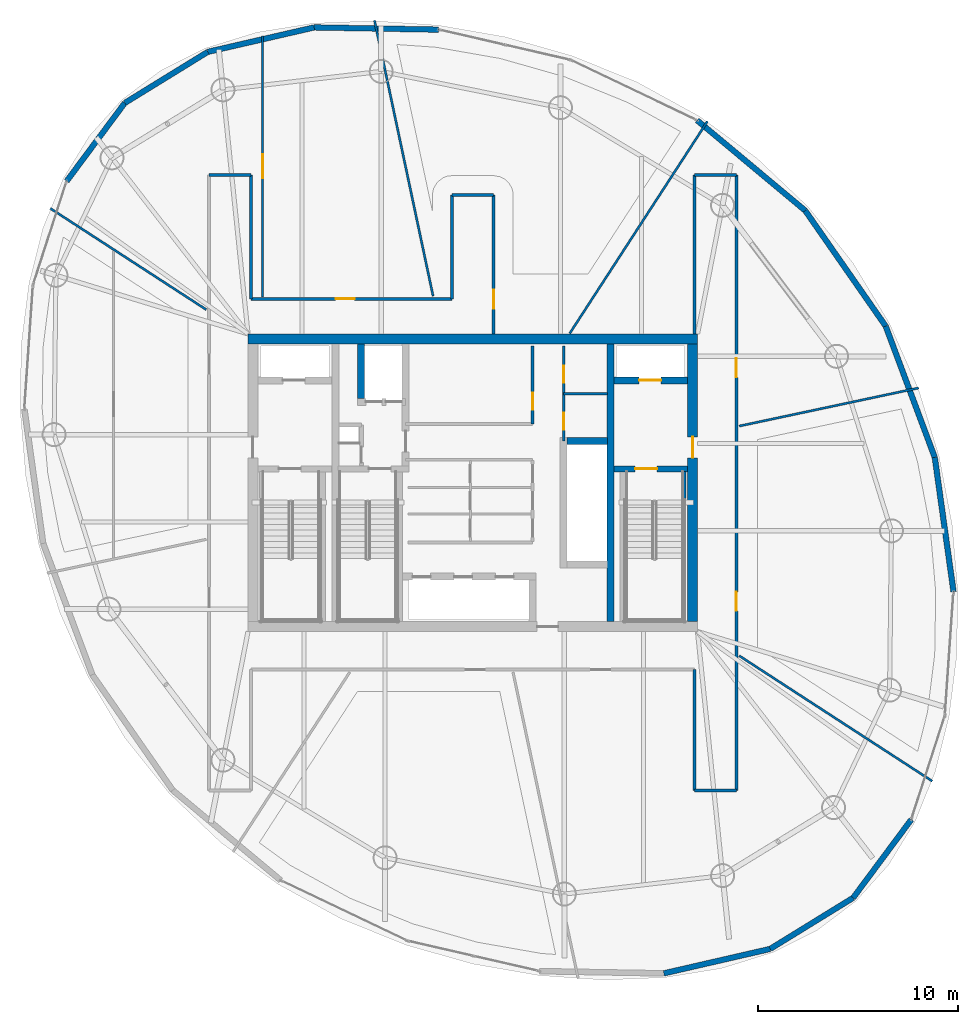
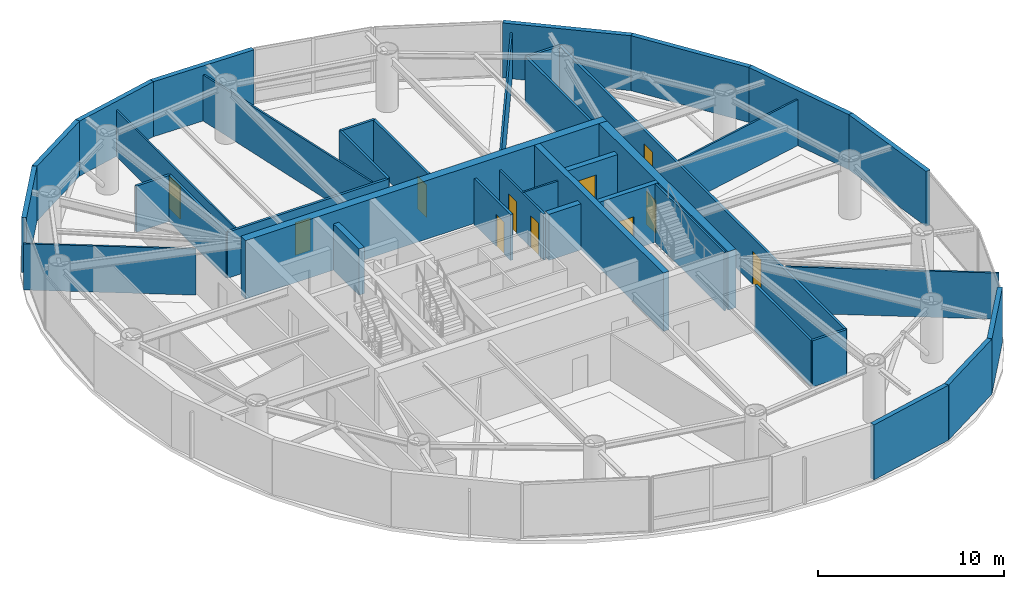
# One storey, part 17 of 22: 39 walls, 11 doors, 11 openings.
"""IFC4 building model written with IfcOpenShell, lengths in metres."""

from ifc_helpers import new_model, si_unit, direction, frame, frame_2d, origin, place, context, subcontext, project, spatial, rectangle, extrude, material, layer, layer_set, type_object, element, fill, save


model = new_model("IFC4")

# Units and contexts
model_context = context("Model", 3, precision=1e-05, world=origin(), true_north=direction((0.0, 1.0)))
body_context = subcontext(model_context, "Body", "Model", "MODEL_VIEW")
ifc_project = project(units=[si_unit("LENGTHUNIT", "METRE"), si_unit("AREAUNIT", "SQUARE_METRE"), si_unit("VOLUMEUNIT", "CUBIC_METRE"), si_unit("PLANEANGLEUNIT", "RADIAN"), si_unit("MASSUNIT", "GRAM", prefix="KILO")], contexts=[model_context])

# Site, building, storey
site_placement = place(None, origin())
site = spatial("IfcSite", under=ifc_project, at=site_placement, CompositionType="ELEMENT")
building_placement = place(site_placement, origin())
building = spatial("IfcBuilding", under=site, at=building_placement, Name="Bramvorn Convention Spire", CompositionType="ELEMENT")
storey_placement = place(building_placement, frame((0.0, 0.0, 221.25)))
storey = spatial("IfcBuildingStorey", under=building, at=storey_placement, Name="L56", CompositionType="ELEMENT", Elevation=221.25)

# Wall
ifc_material_1 = material(Name="Concrete C50/60", Category="concrete")
ifc_layer_1 = layer(ifc_material_1, 0.5)
ifc_layer_set_1 = layer_set([ifc_layer_1], Name="Concrete C50/60 - WL-CORE-500")
wall_type_1 = type_object("IfcWallType", Name="WL-CORE-500", PredefinedType="SHEAR", material=ifc_layer_set_1)
wall_1_placement = place(storey_placement, frame((26.75, 33.199951171875, 0.0), z_axis=(0.0, 0.0, 1.0), x_axis=(1.0, 0.0, 0.0)))
element("IfcWall", 1, at=wall_1_placement, inside=storey, type_object=wall_type_1, Name="L56 North RC core shear wall", PredefinedType="SHEAR", context=body_context, shape_type="SweptSolid", body=[
    extrude(rectangle(XDim=22.5, YDim=0.5, at=frame_2d((11.25, 0.0))), origin(), (0.0, 0.0, 1.0), 3.85009765625),
])

# Wall, opening, door
wall_2_placement = place(storey_placement, frame((49.0, 19.050048828125, 0.0), z_axis=(0.0, 0.0, 1.0), x_axis=(0.0, 1.0, 0.0)))
wall_2 = element("IfcWall", 2, at=wall_2_placement, inside=storey, type_object=wall_type_1, Name="L56 East RC core shear wall", PredefinedType="SHEAR", context=body_context, shape_type="SweptSolid", body=[
    extrude(rectangle(XDim=13.89990234375, YDim=0.5, at=frame_2d((6.949951171875, 0.0))), origin(), (0.0, 0.0, 1.0), 3.85009765625),
])
opening_1_placement = place(wall_2_placement, frame((8.199951171875, 0.0, 0.0)))
opening_1 = element("IfcOpeningElement", 3, at=opening_1_placement, cuts=wall_2, Name="Opening DL-105", PredefinedType="OPENING", context=body_context, shape_type="SweptSolid", body=[
    extrude(rectangle(XDim=1.050048828125, YDim=2.14990234375, at=frame_2d((0.52490234375, 1.074951171875))), frame((0.0, 0.260009765625, 0.0), z_axis=(0.0, -1.0, 0.0), x_axis=(1.0, 0.0, 0.0)), (0.0, 0.0, 1.0), 0.52001953125),
])
ifc_material_2 = material(Name="Smoke-Sealed Fire Lobby Timber-Core Door", Category="wood")
door_type_1 = type_object("IfcDoorType", Name="DR-LOBBY-1050", OperationType="NOTDEFINED", PredefinedType="DOOR", material=ifc_material_2)
door_1_placement = place(opening_1_placement, origin())
door_1 = element("IfcDoor", 4, at=door_1_placement, inside=storey, type_object=door_type_1, Name="L56 East Firefighting Lobby corridor door", OperationType="SINGLE_SWING_LEFT", OverallHeight=2.14990234375, OverallWidth=1.050048828125, PredefinedType="DOOR", context=body_context, shape_type="SweptSolid", body=[
    extrude(rectangle(XDim=1.050048828125, YDim=2.14990234375, at=frame_2d((0.52490234375, 1.074951171875))), frame((0.0, 0.02490234375, 0.0), z_axis=(0.0, -1.0, 0.0), x_axis=(1.0, 0.0, 0.0)), (0.0, 0.0, 1.0), 0.050048828125),
])
fill(opening_1, door_1)

# Wall
ifc_layer_2 = layer(ifc_material_1, 0.35009765625)
ifc_layer_set_2 = layer_set([ifc_layer_2], Name="Concrete C50/60 - WL-CORE-INT-350")
wall_type_2 = type_object("IfcWallType", Name="WL-CORE-INT-350", PredefinedType="SHEAR", material=ifc_layer_set_2)
wall_3_placement = place(storey_placement, frame((44.89990234375, 19.050048828125, 0.0), z_axis=(0.0, 0.0, 1.0), x_axis=(0.0, 1.0, 0.0)))
element("IfcWall", 5, at=wall_3_placement, inside=storey, type_object=wall_type_2, Name="L56 East internal core shear web", PredefinedType="SHEAR", context=body_context, shape_type="SweptSolid", body=[
    extrude(rectangle(XDim=13.89990234375, YDim=0.35009765625, at=frame_2d((6.949951171875, 0.0))), origin(), (0.0, 0.0, 1.0), 3.85009765625),
])

# Wall, opening, door
wall_4_placement = place(storey_placement, frame((45.080078125, 31.1201171875, 0.0), z_axis=(0.0, 0.0, 1.0), x_axis=(1.0, 0.0, 0.0)))
wall_4 = element("IfcWall", 6, at=wall_4_placement, inside=storey, type_object=wall_type_2, Name="L56 FE2 shaft front wall", PredefinedType="SHEAR", context=body_context, shape_type="SweptSolid", body=[
    extrude(rectangle(XDim=3.669921875, YDim=0.35009765625, at=frame_2d((1.8349609375, 0.0))), origin(), (0.0, 0.0, 1.0), 3.034912109375),
])
opening_2_placement = place(wall_4_placement, frame((1.25, 0.0, 0.0)))
opening_2 = element("IfcOpeningElement", 7, at=opening_2_placement, cuts=wall_4, Name="Opening LD-110", PredefinedType="OPENING", context=body_context, shape_type="SweptSolid", body=[
    extrude(rectangle(XDim=1.10009765625, YDim=2.14990234375, at=frame_2d((0.550048828125, 1.074951171875))), frame((0.0, 0.18505859375, 0.0), z_axis=(0.0, -1.0, 0.0), x_axis=(1.0, 0.0, 0.0)), (0.0, 0.0, 1.0), 0.3701171875),
])
ifc_material_3 = material(Name="Firefighting & Service Lift Sliding Landing Door", Category="steel")
door_type_2 = type_object("IfcDoorType", Name="DR-LIFT-LD-1100", OperationType="NOTDEFINED", PredefinedType="DOOR", material=ifc_material_3)
door_2_placement = place(opening_2_placement, origin())
door_2 = element("IfcDoor", 8, at=door_2_placement, inside=storey, type_object=door_type_2, Name="L56 Lift FE2 Sliding Landing Door", OperationType="SLIDING_TO_LEFT", OverallHeight=2.14990234375, OverallWidth=1.10009765625, PredefinedType="DOOR", context=body_context, shape_type="SweptSolid", body=[
    extrude(rectangle(XDim=1.10009765625, YDim=2.14990234375, at=frame_2d((0.550048828125, 1.074951171875))), frame((0.0, 0.02490234375, 0.0), z_axis=(0.0, -1.0, 0.0), x_axis=(1.0, 0.0, 0.0)), (0.0, 0.0, 1.0), 0.050048828125),
])
fill(opening_2, door_2)

# Walls
wall_5_placement = place(storey_placement, frame((32.39990234375, 30.219970703125, 0.0), z_axis=(0.0, 0.0, 1.0), x_axis=(0.0, 1.0, 0.0)))
element("IfcWall", 9, at=wall_5_placement, inside=storey, type_object=wall_type_2, Name="L56 SV1 west hoistway wall", PredefinedType="SHEAR", context=body_context, shape_type="SweptSolid", body=[
    extrude(rectangle(XDim=2.72998046875, YDim=0.35009765625, at=frame_2d((1.364990234375, 0.0))), origin(), (0.0, 0.0, 1.0), 3.034912109375),
])
wall_6_placement = place(storey_placement, frame((42.719970703125, 28.10009765625, 0.0), z_axis=(0.0, 0.0, 1.0), x_axis=(1.0, 0.0, 0.0)))
element("IfcWall", 10, at=wall_6_placement, inside=storey, type_object=wall_type_2, Name="L56 High-rise lift bank north wall", PredefinedType="SHEAR", context=body_context, shape_type="SweptSolid", body=[
    extrude(rectangle(XDim=2.030029296875, YDim=0.35009765625, at=frame_2d((1.01513671875, 0.0))), origin(), (0.0, 0.0, 1.0), 3.034912109375),
])
ifc_material_4 = material(Name="Precast Concrete C40/50 with Bronze Terracotta Rainscreen", Category="masonry")
ifc_layer_3 = layer(ifc_material_4, 0.300048828125)
ifc_layer_set_3 = layer_set([ifc_layer_3], Name="Precast Concrete C40/50 with Bronze Terracotta Rainscreen - WL-EXT-BRONZE-300")
wall_type_3 = type_object("IfcWallType", Name="WL-EXT-BRONZE-300", PredefinedType="SOLIDWALL", material=ifc_layer_set_3)
wall_7_placement = place(storey_placement, frame((59.94775390625, 9.13671875, 0.0), z_axis=(0.0, 0.0, 1.0), x_axis=(-0.59667052694, -0.802486312831, 0.0)))
element("IfcWall", 11, at=wall_7_placement, inside=storey, type_object=wall_type_3, Name="L56 expressed bronze Gothic lancet pier wall 01", PredefinedType="SOLIDWALL", context=body_context, shape_type="SweptSolid", body=[
    extrude(rectangle(XDim=4.87646484375, YDim=0.280029296875, at=frame_2d((2.438232421875, 0.0))), origin(), (0.0, 0.0, 1.0), 3.6201171875),
])
wall_8_placement = place(storey_placement, frame((61.12548828125, 27.26611328125, 0.0), z_axis=(0.0, 0.0, 1.0), x_axis=(0.138287146669, -0.990392177406, 0.0)))
element("IfcWall", 12, at=wall_8_placement, inside=storey, type_object=wall_type_3, Name="L56 expressed bronze Gothic lancet pier wall 04", PredefinedType="SOLIDWALL", context=body_context, shape_type="SweptSolid", body=[
    extrude(rectangle(XDim=6.78466796875, YDim=0.280029296875, at=frame_2d((3.392333984375, 0.0))), origin(), (0.0, 0.0, 1.0), 3.6201171875),
])
wall_9_placement = place(storey_placement, frame((58.666748046875, 33.8388671875, 0.0), z_axis=(0.0, 0.0, 1.0), x_axis=(0.350368435695, -0.93661195768, 0.0)))
element("IfcWall", 13, at=wall_9_placement, inside=storey, type_object=wall_type_3, Name="L56 expressed bronze Gothic lancet pier wall 05", PredefinedType="SOLIDWALL", context=body_context, shape_type="SweptSolid", body=[
    extrude(rectangle(XDim=7.017578125, YDim=0.280029296875, at=frame_2d((3.5087890625, 0.0))), origin(), (0.0, 0.0, 1.0), 3.6201171875),
])
wall_10_placement = place(storey_placement, frame((54.640380859375, 39.62060546875, 0.0), z_axis=(0.0, 0.0, 1.0), x_axis=(0.571474586203, -0.820619764156, 0.0)))
element("IfcWall", 14, at=wall_10_placement, inside=storey, type_object=wall_type_3, Name="L56 expressed bronze Gothic lancet pier wall 06", PredefinedType="SOLIDWALL", context=body_context, shape_type="SweptSolid", body=[
    extrude(rectangle(XDim=7.045654296875, YDim=0.280029296875, at=frame_2d((3.52294921875, 0.0))), origin(), (0.0, 0.0, 1.0), 3.6201171875),
])
wall_11_placement = place(storey_placement, frame((49.231689453125, 44.135498046875, 0.0), z_axis=(0.0, 0.0, 1.0), x_axis=(0.767687026112, -0.640824960453, 0.0)))
element("IfcWall", 15, at=wall_11_placement, inside=storey, type_object=wall_type_3, Name="L56 expressed bronze Gothic lancet pier wall 07", PredefinedType="SOLIDWALL", context=body_context, shape_type="SweptSolid", body=[
    extrude(rectangle(XDim=7.04541015625, YDim=0.280029296875, at=frame_2d((3.522705078125, 0.0))), origin(), (0.0, 0.0, 1.0), 3.6201171875),
])
wall_12_placement = place(storey_placement, frame((30.060791015625, 48.788818359375, 0.0), z_axis=(0.0, 0.0, 1.0), x_axis=(0.999840836748, -0.01784099693, 0.0)))
element("IfcWall", 16, at=wall_12_placement, inside=storey, type_object=wall_type_3, Name="L56 expressed bronze Gothic lancet pier wall 10", PredefinedType="SOLIDWALL", context=body_context, shape_type="SweptSolid", body=[
    extrude(rectangle(XDim=6.226318359375, YDim=0.280029296875, at=frame_2d((3.11328125, 0.0))), origin(), (0.0, 0.0, 1.0), 3.6201171875),
])
wall_13_placement = place(storey_placement, frame((24.735107421875, 47.564453125, 0.0), z_axis=(0.0, 0.0, 1.0), x_axis=(0.974576847849, 0.224053492801, 0.0)))
element("IfcWall", 17, at=wall_13_placement, inside=storey, type_object=wall_type_3, Name="L56 expressed bronze Gothic lancet pier wall 11", PredefinedType="SOLIDWALL", context=body_context, shape_type="SweptSolid", body=[
    extrude(rectangle(XDim=5.464599609375, YDim=0.280029296875, at=frame_2d((2.732421875, 0.0))), origin(), (0.0, 0.0, 1.0), 3.6201171875),
])
for number, where, z_axis, x_axis, name in (
    (18, (20.583251953125, 45.007080078125, 0.0), (0.0, 0.0, 1.0), (0.851439924774, 0.524452147007, 0.0), "L56 expressed bronze Gothic lancet pier wall 12"),
    (19, (17.673583984375, 41.093994140625, 0.0), (0.0, 0.0, 1.0), (0.59669449959, 0.802468487954, 0.0), "L56 expressed bronze Gothic lancet pier wall 13"),
):
    element("IfcWall", number, at=place(storey_placement, frame(where, z_axis=z_axis, x_axis=x_axis)), inside=storey, type_object=wall_type_3, Name=name, PredefinedType="SOLIDWALL", context=body_context, shape_type="SweptSolid", body=[
        extrude(rectangle(XDim=4.876220703125, YDim=0.280029296875, at=frame_2d((2.43798828125, 0.0))), origin(), (0.0, 0.0, 1.0), 3.6201171875),
    ])
wall_14_placement = place(storey_placement, frame((52.88623046875, 2.666015625, 0.0), z_axis=(0.0, 0.0, 1.0), x_axis=(-0.974584360415, -0.224020812503, 0.0)))
element("IfcWall", 20, at=wall_14_placement, inside=storey, type_object=wall_type_3, Name="L56 expressed bronze Gothic lancet pier wall 23", PredefinedType="SOLIDWALL", context=body_context, shape_type="SweptSolid", body=[
    extrude(rectangle(XDim=5.46435546875, YDim=0.280029296875, at=frame_2d((2.732177734375, 0.0))), origin(), (0.0, 0.0, 1.0), 3.6201171875),
])
wall_15_placement = place(storey_placement, frame((57.0380859375, 5.223388671875, 0.0), z_axis=(0.0, 0.0, 1.0), x_axis=(-0.851439924774, -0.524452147007, 0.0)))
element("IfcWall", 21, at=wall_15_placement, inside=storey, type_object=wall_type_3, Name="L56 expressed bronze Gothic lancet pier wall 24", PredefinedType="SOLIDWALL", context=body_context, shape_type="SweptSolid", body=[
    extrude(rectangle(XDim=4.876220703125, YDim=0.280029296875, at=frame_2d((2.43798828125, 0.0))), origin(), (0.0, 0.0, 1.0), 3.6201171875),
])
ifc_material_5 = material(Name="Lightweight En-Suite & Wet-Wall Partition", Category="gypsum")
ifc_layer_4 = layer(ifc_material_5, 0.110107421875)
ifc_layer_set_4 = layer_set([ifc_layer_4], Name="Lightweight En-Suite & Wet-Wall Partition - WL-PART-110")
wall_type_4 = type_object("IfcWallType", Name="WL-PART-110", PredefinedType="PARTITIONING", material=ifc_layer_set_4)
wall_16_placement = place(storey_placement, frame((42.550048828125, 30.449951171875, 0.0), z_axis=(0.0, 0.0, 1.0), x_axis=(1.0, 0.0, 0.0)))
element("IfcWall", 22, at=wall_16_placement, inside=storey, type_object=wall_type_4, Name="L56 KB NE divider", PredefinedType="PARTITIONING", context=body_context, shape_type="SweptSolid", body=[
    extrude(rectangle(XDim=2.199951171875, YDim=0.110107421875, at=frame_2d((1.10009765625, 0.0))), origin(), (0.0, 0.0, 1.0), 3.034912109375),
])
wall_17_placement = place(storey_placement, frame((51.340087890625, 28.83544921875, 0.0), z_axis=(0.0, 0.0, 1.0), x_axis=(0.97814621295, 0.20791821972, 0.0)))
element("IfcWall", 23, at=wall_17_placement, inside=storey, type_object=wall_type_4, Name="L56 Tenant suite partition 1", PredefinedType="PARTITIONING", context=body_context, shape_type="SweptSolid", body=[
    extrude(rectangle(XDim=9.182373046875, YDim=0.110107421875, at=frame_2d((4.59130859375, 0.0))), origin(), (0.0, 0.0, 1.0), 3.034912109375),
])
wall_18_placement = place(storey_placement, frame((42.85107421875, 33.469970703125, 0.0), z_axis=(0.0, 0.0, 1.0), x_axis=(0.544635209489, 0.838673052259, 0.0)))
element("IfcWall", 24, at=wall_18_placement, inside=storey, type_object=wall_type_4, Name="L56 Tenant suite partition 2", PredefinedType="PARTITIONING", context=body_context, shape_type="SweptSolid", body=[
    extrude(rectangle(XDim=12.662109375, YDim=0.110107421875, at=frame_2d((6.3310546875, 0.0))), origin(), (0.0, 0.0, 1.0), 3.034912109375),
])
wall_19_placement = place(storey_placement, frame((36.0146484375, 35.340087890625, 0.0), z_axis=(0.0, 0.0, 1.0), x_axis=(-0.207901362198, 0.978149796093, 0.0)))
element("IfcWall", 25, at=wall_19_placement, inside=storey, type_object=wall_type_4, Name="L56 Tenant suite partition 3", PredefinedType="PARTITIONING", context=body_context, shape_type="SweptSolid", body=[
    extrude(rectangle(XDim=14.117431640625, YDim=0.110107421875, at=frame_2d((7.05859375, 0.0))), origin(), (0.0, 0.0, 1.0), 3.034912109375),
])
wall_20_placement = place(storey_placement, frame((24.659912109375, 34.6630859375, 0.0), z_axis=(0.0, 0.0, 1.0), x_axis=(-0.838669505623, 0.544640670845, 0.0)))
element("IfcWall", 26, at=wall_20_placement, inside=storey, type_object=wall_type_4, Name="L56 Tenant suite partition 4", PredefinedType="PARTITIONING", context=body_context, shape_type="SweptSolid", body=[
    extrude(rectangle(XDim=9.306396484375, YDim=0.110107421875, at=frame_2d((4.6533203125, 0.0))), origin(), (0.0, 0.0, 1.0), 3.034912109375),
])
wall_21_placement = place(storey_placement, frame((51.340087890625, 17.3369140625, 0.0), z_axis=(0.0, 0.0, 1.0), x_axis=(0.838670245997, -0.544639530771, 0.0)))
element("IfcWall", 27, at=wall_21_placement, inside=storey, type_object=wall_type_4, Name="L56 Tenant suite partition 8", PredefinedType="PARTITIONING", context=body_context, shape_type="SweptSolid", body=[
    extrude(rectangle(XDim=11.514892578125, YDim=0.110107421875, at=frame_2d((5.75732421875, 0.0))), origin(), (0.0, 0.0, 1.0), 3.034912109375),
])

# Wall, opening, door
wall_22_placement = place(storey_placement, frame((27.4794921875, 35.300048828125, 0.0), z_axis=(0.0, 0.0, 1.0), x_axis=(0.0, 1.0, 0.0)))
wall_22 = element("IfcWall", 28, at=wall_22_placement, inside=storey, type_object=wall_type_4, Name="L56 Partner Office Chamber 3 inner suite partition", PredefinedType="PARTITIONING", context=body_context, shape_type="SweptSolid", body=[
    extrude(rectangle(XDim=13.057373046875, YDim=0.110107421875, at=frame_2d((6.52880859375, 0.0))), origin(), (0.0, 0.0, 1.0), 3.034912109375),
])
opening_3_placement = place(wall_22_placement, frame((5.9287109375, 0.0, 0.0)))
opening_3 = element("IfcOpeningElement", 29, at=opening_3_placement, cuts=wall_22, Name="Opening DSL-12", PredefinedType="OPENING", context=body_context, shape_type="SweptSolid", body=[
    extrude(rectangle(XDim=1.199951171875, YDim=2.14990234375, at=frame_2d((0.60009765625, 1.074951171875))), frame((0.0, 0.06494140625, 0.0), z_axis=(0.0, -1.0, 0.0), x_axis=(1.0, 0.0, 0.0)), (0.0, 0.0, 1.0), 0.130126953125),
])
ifc_material_6 = material(Name="Pocket Sliding Bronze-Framed Glass Suite Door", Category="glass")
door_type_3 = type_object("IfcDoorType", Name="DR-SLIDE-1200", OperationType="NOTDEFINED", PredefinedType="DOOR", material=ifc_material_6)
door_3_placement = place(opening_3_placement, origin())
door_3 = element("IfcDoor", 30, at=door_3_placement, inside=storey, type_object=door_type_3, Name="L56 Inner Suite 3 door", OperationType="SLIDING_TO_RIGHT", OverallHeight=2.14990234375, OverallWidth=1.199951171875, PredefinedType="DOOR", context=body_context, shape_type="SweptSolid", body=[
    extrude(rectangle(XDim=1.199951171875, YDim=2.14990234375, at=frame_2d((0.60009765625, 1.074951171875))), frame((0.0, 0.02490234375, 0.0), z_axis=(0.0, -1.0, 0.0), x_axis=(1.0, 0.0, 0.0)), (0.0, 0.0, 1.0), 0.050048828125),
])
fill(opening_3, door_3)

# Wall, openings, doors
ifc_material_7 = material(Name="Metal-Stud Demountable Office Partition", Category="gypsum")
ifc_layer_5 = layer(ifc_material_7, 0.1298828125)
ifc_layer_set_5 = layer_set([ifc_layer_5], Name="Metal-Stud Demountable Office Partition - WL-PART-130")
wall_type_5 = type_object("IfcWallType", Name="WL-PART-130", PredefinedType="PARTITIONING", material=ifc_layer_set_5)
wall_23_placement = place(storey_placement, frame((42.550048828125, 28.10009765625, 0.0), z_axis=(0.0, 0.0, 1.0), x_axis=(0.0, 1.0, 0.0)))
wall_23 = element("IfcWall", 31, at=wall_23_placement, inside=storey, type_object=wall_type_5, Name="L56 KB NE split wall", PredefinedType="PARTITIONING", context=body_context, shape_type="SweptSolid", body=[
    extrude(rectangle(XDim=4.75, YDim=0.1298828125, at=frame_2d((2.375, 0.0))), origin(), (0.0, 0.0, 1.0), 3.034912109375),
])
opening_4_placement = place(wall_23_placement, frame((0.550048828125, 0.0, 0.0)))
opening_4 = element("IfcOpeningElement", 32, at=opening_4_placement, cuts=wall_23, Name="Opening DC-085", PredefinedType="OPENING", context=body_context, shape_type="SweptSolid", body=[
    extrude(rectangle(XDim=0.85009765625, YDim=2.10009765625, at=frame_2d((0.425048828125, 1.050048828125))), frame((0.0, 0.074951171875, 0.0), z_axis=(0.0, -1.0, 0.0), x_axis=(1.0, 0.0, 0.0)), (0.0, 0.0, 1.0), 0.14990234375),
])
opening_5_placement = place(wall_23_placement, frame((2.89990234375, 0.0, 0.0)))
opening_5 = element("IfcOpeningElement", 33, at=opening_5_placement, cuts=wall_23, Name="Opening DC-085", PredefinedType="OPENING", context=body_context, shape_type="SweptSolid", body=[
    extrude(rectangle(XDim=0.85009765625, YDim=2.10009765625, at=frame_2d((0.425048828125, 1.050048828125))), frame((0.0, 0.074951171875, 0.0), z_axis=(0.0, -1.0, 0.0), x_axis=(1.0, 0.0, 0.0)), (0.0, 0.0, 1.0), 0.14990234375),
])
ifc_material_8 = material(Name="Fire-Rated Core Washroom & IDF Door", Category="wood")
door_type_4 = type_object("IfcDoorType", Name="DR-CORE-850", OperationType="NOTDEFINED", PredefinedType="DOOR", material=ifc_material_8)
door_4_placement = place(opening_4_placement, origin())
door_4 = element("IfcDoor", 34, at=door_4_placement, inside=storey, type_object=door_type_4, Name="L56 Core Staff WC door", OperationType="SINGLE_SWING_LEFT", OverallHeight=2.10009765625, OverallWidth=0.85009765625, PredefinedType="DOOR", context=body_context, shape_type="SweptSolid", body=[
    extrude(rectangle(XDim=0.85009765625, YDim=2.10009765625, at=frame_2d((0.425048828125, 1.050048828125))), frame((0.0, 0.02490234375, 0.0), z_axis=(0.0, -1.0, 0.0), x_axis=(1.0, 0.0, 0.0)), (0.0, 0.0, 1.0), 0.050048828125),
])
fill(opening_4, door_4)
door_5_placement = place(opening_5_placement, origin())
door_5 = element("IfcDoor", 35, at=door_5_placement, inside=storey, type_object=door_type_4, Name="L56 Core Data Closet door", OperationType="SINGLE_SWING_LEFT", OverallHeight=2.10009765625, OverallWidth=0.85009765625, PredefinedType="DOOR", context=body_context, shape_type="SweptSolid", body=[
    extrude(rectangle(XDim=0.85009765625, YDim=2.10009765625, at=frame_2d((0.425048828125, 1.050048828125))), frame((0.0, 0.02490234375, 0.0), z_axis=(0.0, -1.0, 0.0), x_axis=(1.0, 0.0, 0.0)), (0.0, 0.0, 1.0), 0.050048828125),
])
fill(opening_5, door_5)

# Wall, opening, door
ifc_material_9 = material(Name="Acoustic Metal-Stud Tenant/Corridor Partition", Category="gypsum")
ifc_layer_6 = layer(ifc_material_9, 0.14990234375)
ifc_layer_set_6 = layer_set([ifc_layer_6], Name="Acoustic Metal-Stud Tenant/Corridor Partition - WL-PART-150")
wall_type_6 = type_object("IfcWallType", Name="WL-PART-150", PredefinedType="PARTITIONING", material=ifc_layer_set_6)
wall_24_placement = place(storey_placement, frame((41.0, 28.949951171875, 0.0), z_axis=(0.0, 0.0, 1.0), x_axis=(0.0, 1.0, 0.0)))
wall_24 = element("IfcWall", 36, at=wall_24_placement, inside=storey, type_object=wall_type_6, Name="L56 Freed north shaft room wall", PredefinedType="PARTITIONING", context=body_context, shape_type="SweptSolid", body=[
    extrude(rectangle(XDim=3.900146484375, YDim=0.14990234375, at=frame_2d((1.9501953125, 0.0))), origin(), (0.0, 0.0, 1.0), 3.034912109375),
])
opening_6_placement = place(wall_24_placement, frame((0.699951171875, 0.0, 0.0)))
opening_6 = element("IfcOpeningElement", 37, at=opening_6_placement, cuts=wall_24, Name="Opening DC-085", PredefinedType="OPENING", context=body_context, shape_type="SweptSolid", body=[
    extrude(rectangle(XDim=0.85009765625, YDim=2.10009765625, at=frame_2d((0.425048828125, 1.050048828125))), frame((0.0, 0.0849609375, 0.0), z_axis=(0.0, -1.0, 0.0), x_axis=(1.0, 0.0, 0.0)), (0.0, 0.0, 1.0), 0.169921875),
])
door_6_placement = place(opening_6_placement, origin())
door_6 = element("IfcDoor", 38, at=door_6_placement, inside=storey, type_object=door_type_4, Name="L56 North core archive door", OperationType="SINGLE_SWING_LEFT", OverallHeight=2.10009765625, OverallWidth=0.85009765625, PredefinedType="DOOR", context=body_context, shape_type="SweptSolid", body=[
    extrude(rectangle(XDim=0.85009765625, YDim=2.10009765625, at=frame_2d((0.425048828125, 1.050048828125))), frame((0.0, 0.02490234375, 0.0), z_axis=(0.0, -1.0, 0.0), x_axis=(1.0, 0.0, 0.0)), (0.0, 0.0, 1.0), 0.050048828125),
])
fill(opening_6, door_6)

wall_25_placement = place(storey_placement, frame((26.89990234375, 35.199951171875, 0.0), z_axis=(0.0, 0.0, 1.0), x_axis=(1.0, 0.0, 0.0)))
wall_25 = element("IfcWall", 39, at=wall_25_placement, inside=storey, type_object=wall_type_6, Name="L56 North-west spur link wall", PredefinedType="PARTITIONING", context=body_context, shape_type="SweptSolid", body=[
    extrude(rectangle(XDim=10.050048828125, YDim=0.14990234375, at=frame_2d((5.02490234375, 0.0))), origin(), (0.0, 0.0, 1.0), 3.034912109375),
])
opening_7_placement = place(wall_25_placement, frame((4.23291015625, 0.0, 0.0)))
opening_7 = element("IfcOpeningElement", 40, at=opening_7_placement, cuts=wall_25, Name="Opening DH-095", PredefinedType="OPENING", context=body_context, shape_type="SweptSolid", body=[
    extrude(rectangle(XDim=0.949951171875, YDim=2.14990234375, at=frame_2d((0.47509765625, 1.074951171875))), frame((0.0, 0.0849609375, 0.0), z_axis=(0.0, -1.0, 0.0), x_axis=(1.0, 0.0, 0.0)), (0.0, 0.0, 1.0), 0.169921875),
])
ifc_material_10 = material(Name="Solid-Core Acoustic Guestroom Entry Door", Category="wood")
door_type_5 = type_object("IfcDoorType", Name="DR-HOTEL-950", OperationType="NOTDEFINED", PredefinedType="DOOR", material=ifc_material_10)
door_7_placement = place(opening_7_placement, origin())
door_7 = element("IfcDoor", 41, at=door_7_placement, inside=storey, type_object=door_type_5, Name="L56 Partner Office Chamber 3 3 door", OperationType="SINGLE_SWING_RIGHT", OverallHeight=2.14990234375, OverallWidth=0.949951171875, PredefinedType="DOOR", context=body_context, shape_type="SweptSolid", body=[
    extrude(rectangle(XDim=0.949951171875, YDim=2.14990234375, at=frame_2d((0.47509765625, 1.074951171875))), frame((0.0, 0.02490234375, 0.0), z_axis=(0.0, -1.0, 0.0), x_axis=(1.0, 0.0, 0.0)), (0.0, 0.0, 1.0), 0.050048828125),
])
fill(opening_7, door_7)

# Walls
wall_26_placement = place(storey_placement, frame((26.89990234375, 35.199951171875, 0.0), z_axis=(0.0, 0.0, 1.0), x_axis=(0.0, 1.0, 0.0)))
element("IfcWall", 42, at=wall_26_placement, inside=storey, type_object=wall_type_6, Name="L56 West gallery NE wall", PredefinedType="PARTITIONING", context=body_context, shape_type="SweptSolid", body=[
    extrude(rectangle(XDim=6.199951171875, YDim=0.14990234375, at=frame_2d((3.10009765625, 0.0))), origin(), (0.0, 0.0, 1.0), 3.034912109375),
])
wall_27_placement = place(storey_placement, frame((24.800048828125, 41.39990234375, 0.0), z_axis=(0.0, 0.0, 1.0), x_axis=(1.0, 0.0, 0.0)))
element("IfcWall", 43, at=wall_27_placement, inside=storey, type_object=wall_type_6, Name="L56 West gallery north end", PredefinedType="PARTITIONING", context=body_context, shape_type="SweptSolid", body=[
    extrude(rectangle(XDim=2.099853515625, YDim=0.14990234375, at=frame_2d((1.0498046875, 0.0))), origin(), (0.0, 0.0, 1.0), 3.034912109375),
])

# Wall, openings, doors
wall_28_placement = place(storey_placement, frame((51.199951171875, 10.60009765625, 0.0), z_axis=(0.0, 0.0, 1.0), x_axis=(0.0, 1.0, 0.0)))
wall_28 = element("IfcWall", 44, at=wall_28_placement, inside=storey, type_object=wall_type_6, Name="L56 East N-S gallery outer wall", PredefinedType="PARTITIONING", context=body_context, shape_type="SweptSolid", body=[
    extrude(rectangle(XDim=30.7998046875, YDim=0.14990234375, at=frame_2d((15.39990234375, 0.0))), origin(), (0.0, 0.0, 1.0), 3.034912109375),
])
opening_8_placement = place(wall_28_placement, frame((20.676025390625, 0.0, 0.0)))
opening_8 = element("IfcOpeningElement", 45, at=opening_8_placement, cuts=wall_28, Name="Opening DH-095", PredefinedType="OPENING", context=body_context, shape_type="SweptSolid", body=[
    extrude(rectangle(XDim=0.949951171875, YDim=2.14990234375, at=frame_2d((0.47509765625, 1.074951171875))), frame((0.0, 0.0849609375, 0.0), z_axis=(0.0, -1.0, 0.0), x_axis=(1.0, 0.0, 0.0)), (0.0, 0.0, 1.0), 0.169921875),
])
opening_9_placement = place(wall_28_placement, frame((8.99169921875, 0.0, 0.0)))
opening_9 = element("IfcOpeningElement", 46, at=opening_9_placement, cuts=wall_28, Name="Opening DH-095", PredefinedType="OPENING", context=body_context, shape_type="SweptSolid", body=[
    extrude(rectangle(XDim=0.949951171875, YDim=2.14990234375, at=frame_2d((0.47509765625, 1.074951171875))), frame((0.0, 0.0849609375, 0.0), z_axis=(0.0, -1.0, 0.0), x_axis=(1.0, 0.0, 0.0)), (0.0, 0.0, 1.0), 0.169921875),
])
door_8_placement = place(opening_8_placement, origin())
door_8 = element("IfcDoor", 47, at=door_8_placement, inside=storey, type_object=door_type_5, Name="L56 Partner Office Chamber 1 1 door", OperationType="SINGLE_SWING_RIGHT", OverallHeight=2.14990234375, OverallWidth=0.949951171875, PredefinedType="DOOR", context=body_context, shape_type="SweptSolid", body=[
    extrude(rectangle(XDim=0.949951171875, YDim=2.14990234375, at=frame_2d((0.47509765625, 1.074951171875))), frame((0.0, 0.02490234375, 0.0), z_axis=(0.0, -1.0, 0.0), x_axis=(1.0, 0.0, 0.0)), (0.0, 0.0, 1.0), 0.050048828125),
])
fill(opening_8, door_8)
door_9_placement = place(opening_9_placement, origin())
door_9 = element("IfcDoor", 48, at=door_9_placement, inside=storey, type_object=door_type_5, Name="L56 Deposition Meeting Room 2 8 door", OperationType="SINGLE_SWING_LEFT", OverallHeight=2.14990234375, OverallWidth=0.949951171875, PredefinedType="DOOR", context=body_context, shape_type="SweptSolid", body=[
    extrude(rectangle(XDim=0.949951171875, YDim=2.14990234375, at=frame_2d((0.47509765625, 1.074951171875))), frame((0.0, 0.02490234375, 0.0), z_axis=(0.0, -1.0, 0.0), x_axis=(1.0, 0.0, 0.0)), (0.0, 0.0, 1.0), 0.050048828125),
])
fill(opening_9, door_9)

# Walls
wall_29_placement = place(storey_placement, frame((49.10009765625, 10.60009765625, 0.0), z_axis=(0.0, 0.0, 1.0), x_axis=(0.0, 1.0, 0.0)))
element("IfcWall", 49, at=wall_29_placement, inside=storey, type_object=wall_type_6, Name="L56 East gallery SW wall", PredefinedType="PARTITIONING", context=body_context, shape_type="SweptSolid", body=[
    extrude(rectangle(XDim=6.0498046875, YDim=0.14990234375, at=frame_2d((3.02490234375, 0.0))), origin(), (0.0, 0.0, 1.0), 3.034912109375),
])
wall_30_placement = place(storey_placement, frame((49.10009765625, 33.449951171875, 0.0), z_axis=(0.0, 0.0, 1.0), x_axis=(0.0, 1.0, 0.0)))
element("IfcWall", 50, at=wall_30_placement, inside=storey, type_object=wall_type_6, Name="L56 East gallery NW wall", PredefinedType="PARTITIONING", context=body_context, shape_type="SweptSolid", body=[
    extrude(rectangle(XDim=7.949951171875, YDim=0.14990234375, at=frame_2d((3.97509765625, 0.0))), origin(), (0.0, 0.0, 1.0), 3.034912109375),
])
for number, where, z_axis, x_axis, name in (
    (51, (49.10009765625, 10.60009765625, 0.0), (0.0, 0.0, 1.0), (1.0, 0.0, 0.0), "L56 East gallery south end"),
    (52, (49.10009765625, 41.39990234375, 0.0), (0.0, 0.0, 1.0), (1.0, 0.0, 0.0), "L56 East gallery north end"),
):
    element("IfcWall", number, at=place(storey_placement, frame(where, z_axis=z_axis, x_axis=x_axis)), inside=storey, type_object=wall_type_6, Name=name, PredefinedType="PARTITIONING", context=body_context, shape_type="SweptSolid", body=[
        extrude(rectangle(XDim=2.099853515625, YDim=0.14990234375, at=frame_2d((1.0498046875, 0.0))), origin(), (0.0, 0.0, 1.0), 3.034912109375),
    ])
wall_31_placement = place(storey_placement, frame((36.949951171875, 35.199951171875, 0.0), z_axis=(0.0, 0.0, 1.0), x_axis=(0.0, 1.0, 0.0)))
element("IfcWall", 53, at=wall_31_placement, inside=storey, type_object=wall_type_6, Name="L56 North spur west wall", PredefinedType="PARTITIONING", context=body_context, shape_type="SweptSolid", body=[
    extrude(rectangle(XDim=5.199951171875, YDim=0.14990234375, at=frame_2d((2.60009765625, 0.0))), origin(), (0.0, 0.0, 1.0), 3.034912109375),
])

# Wall, opening, door
wall_32_placement = place(storey_placement, frame((39.050048828125, 33.449951171875, 0.0), z_axis=(0.0, 0.0, 1.0), x_axis=(0.0, 1.0, 0.0)))
wall_32 = element("IfcWall", 54, at=wall_32_placement, inside=storey, type_object=wall_type_6, Name="L56 North spur east wall", PredefinedType="PARTITIONING", context=body_context, shape_type="SweptSolid", body=[
    extrude(rectangle(XDim=6.949951171875, YDim=0.14990234375, at=frame_2d((3.47509765625, 0.0))), origin(), (0.0, 0.0, 1.0), 3.034912109375),
])
opening_10_placement = place(wall_32_placement, frame((1.262451171875, 0.0, 0.0)))
opening_10 = element("IfcOpeningElement", 55, at=opening_10_placement, cuts=wall_32, Name="Opening DH-095", PredefinedType="OPENING", context=body_context, shape_type="SweptSolid", body=[
    extrude(rectangle(XDim=0.949951171875, YDim=2.14990234375, at=frame_2d((0.47509765625, 1.074951171875))), frame((0.0, 0.0849609375, 0.0), z_axis=(0.0, -1.0, 0.0), x_axis=(1.0, 0.0, 0.0)), (0.0, 0.0, 1.0), 0.169921875),
])
door_10_placement = place(opening_10_placement, origin())
door_10 = element("IfcDoor", 56, at=door_10_placement, inside=storey, type_object=door_type_5, Name="L56 Partner Office Chamber 2 2 door", OperationType="SINGLE_SWING_LEFT", OverallHeight=2.14990234375, OverallWidth=0.949951171875, PredefinedType="DOOR", context=body_context, shape_type="SweptSolid", body=[
    extrude(rectangle(XDim=0.949951171875, YDim=2.14990234375, at=frame_2d((0.47509765625, 1.074951171875))), frame((0.0, 0.02490234375, 0.0), z_axis=(0.0, -1.0, 0.0), x_axis=(1.0, 0.0, 0.0)), (0.0, 0.0, 1.0), 0.050048828125),
])
fill(opening_10, door_10)

# Wall
wall_33_placement = place(storey_placement, frame((36.949951171875, 40.39990234375, 0.0), z_axis=(0.0, 0.0, 1.0), x_axis=(1.0, 0.0, 0.0)))
element("IfcWall", 57, at=wall_33_placement, inside=storey, type_object=wall_type_6, Name="L56 North spur end wall", PredefinedType="PARTITIONING", context=body_context, shape_type="SweptSolid", body=[
    extrude(rectangle(XDim=2.10009765625, YDim=0.14990234375, at=frame_2d((1.050048828125, 0.0))), origin(), (0.0, 0.0, 1.0), 3.034912109375),
])

# Wall, opening, door
ifc_layer_7 = layer(ifc_material_1, 0.300048828125)
ifc_layer_set_7 = layer_set([ifc_layer_7], Name="Concrete C50/60 - WL-POD-STAIR-300")
wall_type_7 = type_object("IfcWallType", Name="WL-POD-STAIR-300", PredefinedType="SHEAR", material=ifc_layer_set_7)
wall_34_placement = place(storey_placement, frame((45.080078125, 26.68994140625, 0.0), z_axis=(0.0, 0.0, 1.0), x_axis=(1.0, 0.0, 0.0)))
wall_34 = element("IfcWall", 58, at=wall_34_placement, inside=storey, type_object=wall_type_7, Name="L56 ST2 north fire wall", PredefinedType="SHEAR", context=body_context, shape_type="SweptSolid", body=[
    extrude(rectangle(XDim=3.669921875, YDim=0.300048828125, at=frame_2d((1.8349609375, 0.0))), origin(), (0.0, 0.0, 1.0), 3.85009765625),
])
opening_11_placement = place(wall_34_placement, frame((1.050048828125, 0.0, 0.0)))
opening_11 = element("IfcOpeningElement", 59, at=opening_11_placement, cuts=wall_34, Name="Opening DS-110", PredefinedType="OPENING", context=body_context, shape_type="SweptSolid", body=[
    extrude(rectangle(XDim=1.10009765625, YDim=2.14990234375, at=frame_2d((0.550048828125, 1.074951171875))), frame((0.0, 0.159912109375, 0.0), z_axis=(0.0, -1.0, 0.0), x_axis=(1.0, 0.0, 0.0)), (0.0, 0.0, 1.0), 0.320068359375),
])
ifc_material_11 = material(Name="Fire-Rated Hollow Steel Stairwell Door", Category="steel")
door_type_6 = type_object("IfcDoorType", Name="DR-STAIR-1100", OperationType="NOTDEFINED", PredefinedType="DOOR", material=ifc_material_11)
door_11_placement = place(opening_11_placement, origin())
door_11 = element("IfcDoor", 60, at=door_11_placement, inside=storey, type_object=door_type_6, Name="L56 Stair ST2 fire door", OperationType="SINGLE_SWING_RIGHT", OverallHeight=2.14990234375, OverallWidth=1.10009765625, PredefinedType="DOOR", context=body_context, shape_type="SweptSolid", body=[
    extrude(rectangle(XDim=1.10009765625, YDim=2.14990234375, at=frame_2d((0.550048828125, 1.074951171875))), frame((0.0, 0.02490234375, 0.0), z_axis=(0.0, -1.0, 0.0), x_axis=(1.0, 0.0, 0.0)), (0.0, 0.0, 1.0), 0.050048828125),
])
fill(opening_11, door_11)

# Wall
ifc_layer_8 = layer(ifc_material_1, 0.1201171875)
ifc_layer_set_8 = layer_set([ifc_layer_8], Name="Concrete C50/60 - WL-STAIR-RC-120")
wall_type_8 = type_object("IfcWallType", Name="WL-STAIR-RC-120", PredefinedType="SHEAR", material=ifc_layer_set_8)
wall_35_placement = place(storey_placement, frame((48.60498046875, 19.10009765625, 0.0), z_axis=(0.0, 0.0, 1.0), x_axis=(0.0, 1.0, 0.0)))
element("IfcWall", 61, at=wall_35_placement, inside=storey, type_object=wall_type_8, Name="L56 ST2 east bearing shear wall", PredefinedType="SHEAR", context=body_context, shape_type="SweptSolid", body=[
    extrude(rectangle(XDim=7.449951171875, YDim=0.1201171875, at=frame_2d((3.72509765625, 0.0))), origin(), (0.0, 0.0, 1.0), 3.85009765625),
])

save(model, "model.ifc")
